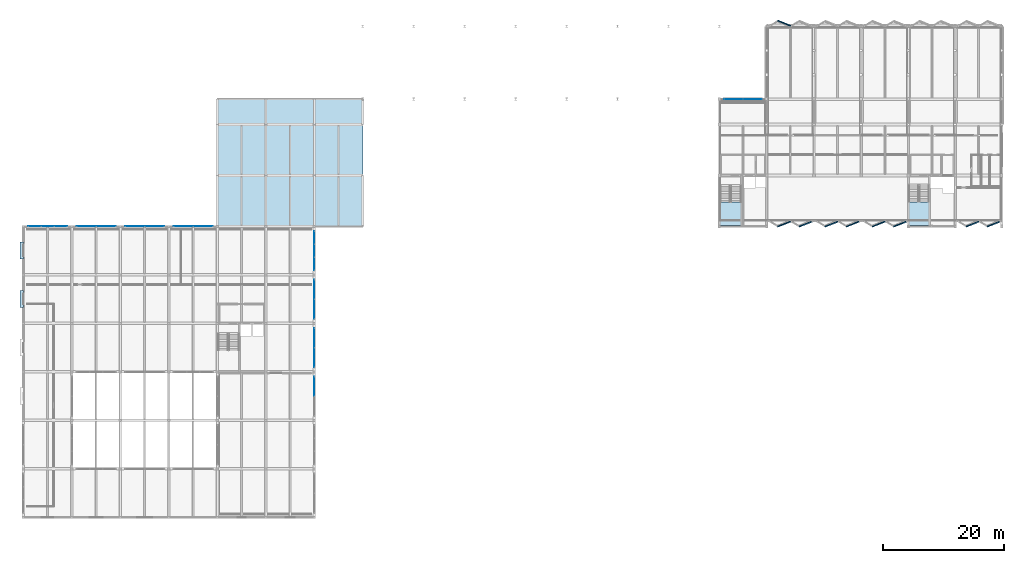
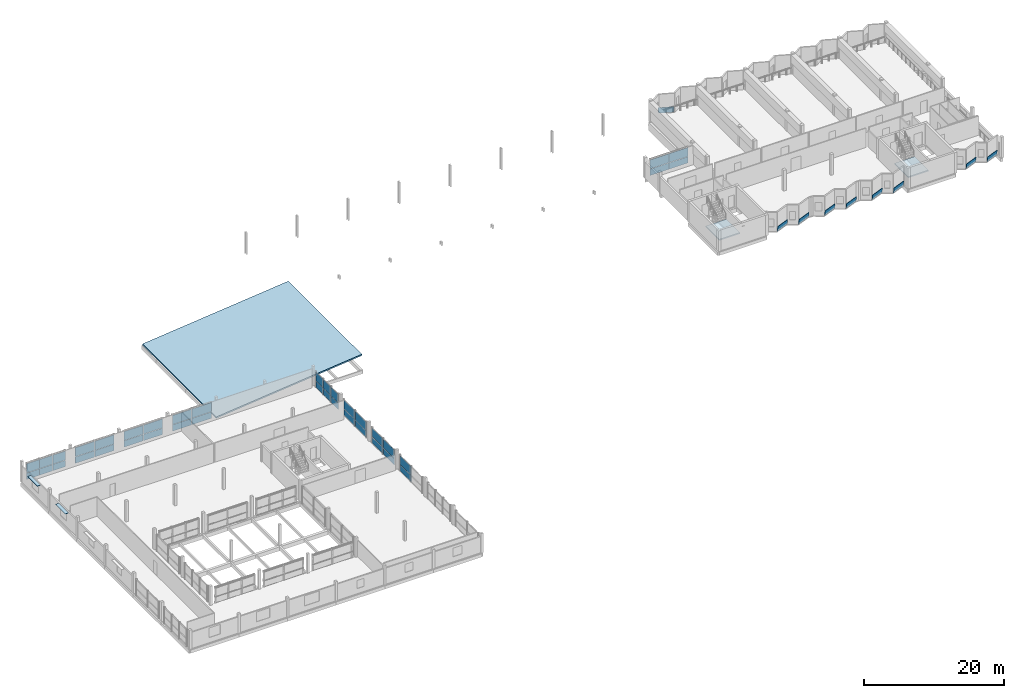
# One storey, part 21 of 34: 49 plates, 3 slabs, 11 elements without a shape of their own.
"""IFC4 building model written with IfcOpenShell, lengths in metres."""

from ifc_helpers import new_model, si_unit, direction, frame, origin, origin_2d, place, context, subcontext, project, spatial, polyline, rectangle, outline, extrude, material, layer, layer_set, type_object, element, aggregate, save


model = new_model("IFC4")

# Units and contexts
model_context = context("Model", 3, precision=1e-05, world=origin(), true_north=direction((0.0, 1.0)))
body_context = subcontext(model_context, "Body", "Model", "MODEL_VIEW")
ifc_project = project(units=[si_unit("LENGTHUNIT", "METRE"), si_unit("AREAUNIT", "SQUARE_METRE"), si_unit("VOLUMEUNIT", "CUBIC_METRE"), si_unit("PLANEANGLEUNIT", "RADIAN"), si_unit("MASSUNIT", "GRAM", prefix="KILO")], contexts=[model_context])

# Site, building, storey
site_placement = place(None, origin())
site = spatial("IfcSite", under=ifc_project, at=site_placement, CompositionType="ELEMENT")
building_placement = place(site_placement, origin())
building = spatial("IfcBuilding", under=site, at=building_placement, Name="Vharandega Faculty of Natural Sciences", CompositionType="ELEMENT")
storey_placement = place(building_placement, frame((0.0, 0.0, 21.60009765625)))
storey = spatial("IfcBuildingStorey", under=building, at=storey_placement, Name="L05", CompositionType="ELEMENT", Elevation=21.60009765625)

# Curtain wall, plates
ifc_material_1 = material(Name="Aluminium and solar-control glass curtain wall", Category="aluminium")
curtain_wall_type_1 = type_object("IfcCurtainWallType", Name="Unitised Curtain Wall System CW-27", PredefinedType="NOTDEFINED", material=ifc_material_1)
curtain_wall_1_placement = place(storey_placement, origin())
curtain_wall_1 = element("IfcCurtainWall", 1, at=curtain_wall_1_placement, inside=storey, type_object=curtain_wall_type_1, Name="Curtain Wall CW-L05-026", PredefinedType="NOTDEFINED")
ifc_material_2 = material(Name="Double-glazed low-E solar glass", Category="glass")
ifc_layer_1 = layer(ifc_material_2, 0.028076171875, Name="Double-glazed low-E solar glass")
ifc_layer_set_1 = layer_set([ifc_layer_1], Name="Double-glazed low-E solar glass")
plate_type_1 = type_object("IfcPlateType", Name="CW Solar Vision Panel 28mm", PredefinedType="CURTAIN_PANEL", material=ifc_layer_set_1)
plate_1_placement = place(storey_placement, frame((117.135009765625, 85.0, 0.06005859375), z_axis=(0.0, 0.0, 1.0), x_axis=(1.0, 0.0, 0.0)))
plate_1 = element("IfcPlate", 2, at=plate_1_placement, type_object=plate_type_1, Name="CW-27 panel 1.1", PredefinedType="CURTAIN_PANEL", context=body_context, shape_type="SweptSolid", body=[
    extrude(rectangle(XDim=3.070068359375, YDim=0.028076171875, at=origin_2d()), origin(), (0.0, 0.0, 1.0), 1.094482421875),
])
plate_2_placement = place(storey_placement, frame((117.135009765625, 85.0, 1.21435546875), z_axis=(0.0, 0.0, 1.0), x_axis=(1.0, 0.0, 0.0)))
plate_2 = element("IfcPlate", 3, at=plate_2_placement, type_object=plate_type_1, Name="CW-27 panel 1.2", PredefinedType="CURTAIN_PANEL", context=body_context, shape_type="SweptSolid", body=[
    extrude(rectangle(XDim=3.070068359375, YDim=0.028076171875, at=origin_2d()), origin(), (0.0, 0.0, 1.0), 1.545654296875),
])
plate_3_placement = place(storey_placement, frame((120.264892578125, 85.0, 0.06005859375), z_axis=(0.0, 0.0, 1.0), x_axis=(1.0, 0.0, 0.0)))
plate_3 = element("IfcPlate", 4, at=plate_3_placement, type_object=plate_type_1, Name="CW-27 panel 2.1", PredefinedType="CURTAIN_PANEL", context=body_context, shape_type="SweptSolid", body=[
    extrude(rectangle(XDim=3.070068359375, YDim=0.028076171875, at=origin_2d()), origin(), (0.0, 0.0, 1.0), 1.094482421875),
])
plate_4_placement = place(storey_placement, frame((120.264892578125, 85.0, 1.21435546875), z_axis=(0.0, 0.0, 1.0), x_axis=(1.0, 0.0, 0.0)))
plate_4 = element("IfcPlate", 5, at=plate_4_placement, type_object=plate_type_1, Name="CW-27 panel 2.2", PredefinedType="CURTAIN_PANEL", context=body_context, shape_type="SweptSolid", body=[
    extrude(rectangle(XDim=3.070068359375, YDim=0.028076171875, at=origin_2d()), origin(), (0.0, 0.0, 1.0), 1.545654296875),
])
aggregate(curtain_wall_1, [plate_1, plate_2, plate_3, plate_4])

ifc_material_3 = material(Name="Aluminium and solar-control glass curtain wall", Category="aluminium")
curtain_wall_type_2 = type_object("IfcCurtainWallType", Name="Unitised Curtain Wall System CW-02", PredefinedType="NOTDEFINED", material=ifc_material_3)
curtain_wall_2_placement = place(storey_placement, origin())
curtain_wall_2 = element("IfcCurtainWall", 6, at=curtain_wall_2_placement, inside=storey, type_object=curtain_wall_type_2, Name="Curtain Wall CW-L05-197", PredefinedType="NOTDEFINED")
plate_5_placement = place(storey_placement, frame((48.0, 37.614990234375, 0.06005859375), z_axis=(0.0, 0.0, 1.0), x_axis=(0.0, 1.0, 0.0)))
plate_5 = element("IfcPlate", 7, at=plate_5_placement, type_object=plate_type_1, Name="CW-02 panel 2.1", PredefinedType="CURTAIN_PANEL", context=body_context, shape_type="SweptSolid", body=[
    extrude(rectangle(XDim=3.169921875, YDim=0.028076171875, at=origin_2d()), origin(), (0.0, 0.0, 1.0), 1.069091796875),
])
plate_6_placement = place(storey_placement, frame((48.0, 37.614990234375, 1.189208984375), z_axis=(0.0, 0.0, 1.0), x_axis=(0.0, 1.0, 0.0)))
plate_6 = element("IfcPlate", 8, at=plate_6_placement, type_object=plate_type_1, Name="CW-02 panel 2.2", PredefinedType="CURTAIN_PANEL", context=body_context, shape_type="SweptSolid", body=[
    extrude(rectangle(XDim=3.169921875, YDim=0.028076171875, at=origin_2d()), origin(), (0.0, 0.0, 1.0), 1.5107421875),
])
aggregate(curtain_wall_2, [plate_5, plate_6])

ifc_material_4 = material(Name="Aluminium and solar-control glass curtain wall", Category="aluminium")
curtain_wall_type_3 = type_object("IfcCurtainWallType", Name="Unitised Curtain Wall System CW-03", PredefinedType="NOTDEFINED", material=ifc_material_4)
curtain_wall_3_placement = place(storey_placement, origin())
curtain_wall_3 = element("IfcCurtainWall", 9, at=curtain_wall_3_placement, inside=storey, type_object=curtain_wall_type_3, Name="Curtain Wall CW-L05-198", PredefinedType="NOTDEFINED")
plate_7_placement = place(storey_placement, frame((48.0, 42.385009765625, 0.06005859375), z_axis=(0.0, 0.0, 1.0), x_axis=(0.0, 1.0, 0.0)))
plate_7 = element("IfcPlate", 10, at=plate_7_placement, type_object=plate_type_1, Name="CW-03 panel 1.1", PredefinedType="CURTAIN_PANEL", context=body_context, shape_type="SweptSolid", body=[
    extrude(rectangle(XDim=3.169921875, YDim=0.028076171875, at=origin_2d()), origin(), (0.0, 0.0, 1.0), 1.069091796875),
])
plate_8_placement = place(storey_placement, frame((48.0, 42.385009765625, 1.189208984375), z_axis=(0.0, 0.0, 1.0), x_axis=(0.0, 1.0, 0.0)))
plate_8 = element("IfcPlate", 11, at=plate_8_placement, type_object=plate_type_1, Name="CW-03 panel 1.2", PredefinedType="CURTAIN_PANEL", context=body_context, shape_type="SweptSolid", body=[
    extrude(rectangle(XDim=3.169921875, YDim=0.028076171875, at=origin_2d()), origin(), (0.0, 0.0, 1.0), 1.5107421875),
])
plate_9_placement = place(storey_placement, frame((48.0, 45.614990234375, 0.06005859375), z_axis=(0.0, 0.0, 1.0), x_axis=(0.0, 1.0, 0.0)))
plate_9 = element("IfcPlate", 12, at=plate_9_placement, type_object=plate_type_1, Name="CW-03 panel 2.1", PredefinedType="CURTAIN_PANEL", context=body_context, shape_type="SweptSolid", body=[
    extrude(rectangle(XDim=3.169921875, YDim=0.028076171875, at=origin_2d()), origin(), (0.0, 0.0, 1.0), 1.069091796875),
])
plate_10_placement = place(storey_placement, frame((48.0, 45.614990234375, 1.189208984375), z_axis=(0.0, 0.0, 1.0), x_axis=(0.0, 1.0, 0.0)))
plate_10 = element("IfcPlate", 13, at=plate_10_placement, type_object=plate_type_1, Name="CW-03 panel 2.2", PredefinedType="CURTAIN_PANEL", context=body_context, shape_type="SweptSolid", body=[
    extrude(rectangle(XDim=3.169921875, YDim=0.028076171875, at=origin_2d()), origin(), (0.0, 0.0, 1.0), 1.5107421875),
])
aggregate(curtain_wall_3, [plate_7, plate_8, plate_9, plate_10])

ifc_material_5 = material(Name="Aluminium and solar-control glass curtain wall", Category="aluminium")
curtain_wall_type_4 = type_object("IfcCurtainWallType", Name="Unitised Curtain Wall System CW-04", PredefinedType="NOTDEFINED", material=ifc_material_5)
curtain_wall_4_placement = place(storey_placement, origin())
curtain_wall_4 = element("IfcCurtainWall", 14, at=curtain_wall_4_placement, inside=storey, type_object=curtain_wall_type_4, Name="Curtain Wall CW-L05-199", PredefinedType="NOTDEFINED")
plate_11_placement = place(storey_placement, frame((48.0, 50.385009765625, 0.06005859375), z_axis=(0.0, 0.0, 1.0), x_axis=(0.0, 1.0, 0.0)))
plate_11 = element("IfcPlate", 15, at=plate_11_placement, type_object=plate_type_1, Name="CW-04 panel 1.1", PredefinedType="CURTAIN_PANEL", context=body_context, shape_type="SweptSolid", body=[
    extrude(rectangle(XDim=3.169921875, YDim=0.028076171875, at=origin_2d()), origin(), (0.0, 0.0, 1.0), 1.069091796875),
])
plate_12_placement = place(storey_placement, frame((48.0, 50.385009765625, 1.189208984375), z_axis=(0.0, 0.0, 1.0), x_axis=(0.0, 1.0, 0.0)))
plate_12 = element("IfcPlate", 16, at=plate_12_placement, type_object=plate_type_1, Name="CW-04 panel 1.2", PredefinedType="CURTAIN_PANEL", context=body_context, shape_type="SweptSolid", body=[
    extrude(rectangle(XDim=3.169921875, YDim=0.028076171875, at=origin_2d()), origin(), (0.0, 0.0, 1.0), 1.5107421875),
])
plate_13_placement = place(storey_placement, frame((48.0, 53.614990234375, 0.06005859375), z_axis=(0.0, 0.0, 1.0), x_axis=(0.0, 1.0, 0.0)))
plate_13 = element("IfcPlate", 17, at=plate_13_placement, type_object=plate_type_1, Name="CW-04 panel 2.1", PredefinedType="CURTAIN_PANEL", context=body_context, shape_type="SweptSolid", body=[
    extrude(rectangle(XDim=3.169921875, YDim=0.028076171875, at=origin_2d()), origin(), (0.0, 0.0, 1.0), 1.069091796875),
])
plate_14_placement = place(storey_placement, frame((48.0, 53.614990234375, 1.189208984375), z_axis=(0.0, 0.0, 1.0), x_axis=(0.0, 1.0, 0.0)))
plate_14 = element("IfcPlate", 18, at=plate_14_placement, type_object=plate_type_1, Name="CW-04 panel 2.2", PredefinedType="CURTAIN_PANEL", context=body_context, shape_type="SweptSolid", body=[
    extrude(rectangle(XDim=3.169921875, YDim=0.028076171875, at=origin_2d()), origin(), (0.0, 0.0, 1.0), 1.5107421875),
])
aggregate(curtain_wall_4, [plate_11, plate_12, plate_13, plate_14])

ifc_material_6 = material(Name="Aluminium and solar-control glass curtain wall", Category="aluminium")
curtain_wall_type_5 = type_object("IfcCurtainWallType", Name="Unitised Curtain Wall System CW-05", PredefinedType="NOTDEFINED", material=ifc_material_6)
curtain_wall_5_placement = place(storey_placement, origin())
curtain_wall_5 = element("IfcCurtainWall", 19, at=curtain_wall_5_placement, inside=storey, type_object=curtain_wall_type_5, Name="Curtain Wall CW-L05-200", PredefinedType="NOTDEFINED")
plate_15_placement = place(storey_placement, frame((48.0, 57.841552734375, 0.06005859375), z_axis=(0.0, 0.0, 1.0), x_axis=(0.0, 1.0, 0.0)))
plate_15 = element("IfcPlate", 20, at=plate_15_placement, type_object=plate_type_1, Name="CW-05 panel 1.1", PredefinedType="CURTAIN_PANEL", context=body_context, shape_type="SweptSolid", body=[
    extrude(rectangle(XDim=2.083251953125, YDim=0.028076171875, at=origin_2d()), origin(), (0.0, 0.0, 1.0), 1.069091796875),
])
plate_16_placement = place(storey_placement, frame((48.0, 57.841552734375, 1.189208984375), z_axis=(0.0, 0.0, 1.0), x_axis=(0.0, 1.0, 0.0)))
plate_16 = element("IfcPlate", 21, at=plate_16_placement, type_object=plate_type_1, Name="CW-05 panel 1.2", PredefinedType="CURTAIN_PANEL", context=body_context, shape_type="SweptSolid", body=[
    extrude(rectangle(XDim=2.083251953125, YDim=0.028076171875, at=origin_2d()), origin(), (0.0, 0.0, 1.0), 1.5107421875),
])
plate_17_placement = place(storey_placement, frame((48.0, 60.0, 0.06005859375), z_axis=(0.0, 0.0, 1.0), x_axis=(0.0, 1.0, 0.0)))
plate_17 = element("IfcPlate", 22, at=plate_17_placement, type_object=plate_type_1, Name="CW-05 panel 2.1", PredefinedType="CURTAIN_PANEL", context=body_context, shape_type="SweptSolid", body=[
    extrude(rectangle(XDim=2.11328125, YDim=0.028076171875, at=origin_2d()), origin(), (0.0, 0.0, 1.0), 1.069091796875),
])
plate_18_placement = place(storey_placement, frame((48.0, 60.0, 1.189208984375), z_axis=(0.0, 0.0, 1.0), x_axis=(0.0, 1.0, 0.0)))
plate_18 = element("IfcPlate", 23, at=plate_18_placement, type_object=plate_type_1, Name="CW-05 panel 2.2", PredefinedType="CURTAIN_PANEL", context=body_context, shape_type="SweptSolid", body=[
    extrude(rectangle(XDim=2.11328125, YDim=0.028076171875, at=origin_2d()), origin(), (0.0, 0.0, 1.0), 1.5107421875),
])
plate_19_placement = place(storey_placement, frame((48.0, 62.158447265625, 0.06005859375), z_axis=(0.0, 0.0, 1.0), x_axis=(0.0, 1.0, 0.0)))
plate_19 = element("IfcPlate", 24, at=plate_19_placement, type_object=plate_type_1, Name="CW-05 panel 3.1", PredefinedType="CURTAIN_PANEL", context=body_context, shape_type="SweptSolid", body=[
    extrude(rectangle(XDim=2.083251953125, YDim=0.028076171875, at=origin_2d()), origin(), (0.0, 0.0, 1.0), 1.069091796875),
])
plate_20_placement = place(storey_placement, frame((48.0, 62.158447265625, 1.189208984375), z_axis=(0.0, 0.0, 1.0), x_axis=(0.0, 1.0, 0.0)))
plate_20 = element("IfcPlate", 25, at=plate_20_placement, type_object=plate_type_1, Name="CW-05 panel 3.2", PredefinedType="CURTAIN_PANEL", context=body_context, shape_type="SweptSolid", body=[
    extrude(rectangle(XDim=2.083251953125, YDim=0.028076171875, at=origin_2d()), origin(), (0.0, 0.0, 1.0), 1.5107421875),
])
aggregate(curtain_wall_5, [plate_15, plate_16, plate_17, plate_18, plate_19, plate_20])

ifc_material_7 = material(Name="Aluminium and solar-control glass curtain wall", Category="aluminium")
curtain_wall_type_6 = type_object("IfcCurtainWallType", Name="Unitised Curtain Wall System CW-06", PredefinedType="NOTDEFINED", material=ifc_material_7)
curtain_wall_6_placement = place(storey_placement, origin())
curtain_wall_6 = element("IfcCurtainWall", 26, at=curtain_wall_6_placement, inside=storey, type_object=curtain_wall_type_6, Name="Curtain Wall CW-L05-201", PredefinedType="NOTDEFINED")
plate_21_placement = place(storey_placement, frame((1.841552734375, 64.0, 0.06005859375), z_axis=(0.0, 0.0, 1.0), x_axis=(1.0, 0.0, 0.0)))
plate_21 = element("IfcPlate", 27, at=plate_21_placement, type_object=plate_type_1, Name="CW-06 panel 1.1", PredefinedType="CURTAIN_PANEL", context=body_context, shape_type="SweptSolid", body=[
    extrude(rectangle(XDim=2.083251953125, YDim=0.028076171875, at=origin_2d()), origin(), (0.0, 0.0, 1.0), 1.102783203125),
])
plate_22_placement = place(storey_placement, frame((1.841552734375, 64.0, 1.22265625), z_axis=(0.0, 0.0, 1.0), x_axis=(1.0, 0.0, 0.0)))
plate_22 = element("IfcPlate", 28, at=plate_22_placement, type_object=plate_type_1, Name="CW-06 panel 1.2", PredefinedType="CURTAIN_PANEL", context=body_context, shape_type="SweptSolid", body=[
    extrude(rectangle(XDim=2.083251953125, YDim=0.028076171875, at=origin_2d()), origin(), (0.0, 0.0, 1.0), 1.55712890625),
])
plate_23_placement = place(storey_placement, frame((4.0, 64.0, 0.06005859375), z_axis=(0.0, 0.0, 1.0), x_axis=(1.0, 0.0, 0.0)))
plate_23 = element("IfcPlate", 29, at=plate_23_placement, type_object=plate_type_1, Name="CW-06 panel 2.1", PredefinedType="CURTAIN_PANEL", context=body_context, shape_type="SweptSolid", body=[
    extrude(rectangle(XDim=2.11328125, YDim=0.028076171875, at=origin_2d()), origin(), (0.0, 0.0, 1.0), 1.102783203125),
])
plate_24_placement = place(storey_placement, frame((4.0, 64.0, 1.22265625), z_axis=(0.0, 0.0, 1.0), x_axis=(1.0, 0.0, 0.0)))
plate_24 = element("IfcPlate", 30, at=plate_24_placement, type_object=plate_type_1, Name="CW-06 panel 2.2", PredefinedType="CURTAIN_PANEL", context=body_context, shape_type="SweptSolid", body=[
    extrude(rectangle(XDim=2.11328125, YDim=0.028076171875, at=origin_2d()), origin(), (0.0, 0.0, 1.0), 1.55712890625),
])
plate_25_placement = place(storey_placement, frame((6.158447265625, 64.0, 0.06005859375), z_axis=(0.0, 0.0, 1.0), x_axis=(1.0, 0.0, 0.0)))
plate_25 = element("IfcPlate", 31, at=plate_25_placement, type_object=plate_type_1, Name="CW-06 panel 3.1", PredefinedType="CURTAIN_PANEL", context=body_context, shape_type="SweptSolid", body=[
    extrude(rectangle(XDim=2.083251953125, YDim=0.028076171875, at=origin_2d()), origin(), (0.0, 0.0, 1.0), 1.102783203125),
])
plate_26_placement = place(storey_placement, frame((6.158447265625, 64.0, 1.22265625), z_axis=(0.0, 0.0, 1.0), x_axis=(1.0, 0.0, 0.0)))
plate_26 = element("IfcPlate", 32, at=plate_26_placement, type_object=plate_type_1, Name="CW-06 panel 3.2", PredefinedType="CURTAIN_PANEL", context=body_context, shape_type="SweptSolid", body=[
    extrude(rectangle(XDim=2.083251953125, YDim=0.028076171875, at=origin_2d()), origin(), (0.0, 0.0, 1.0), 1.55712890625),
])
aggregate(curtain_wall_6, [plate_21, plate_22, plate_23, plate_24, plate_25, plate_26])

ifc_material_8 = material(Name="Aluminium and solar-control glass curtain wall", Category="aluminium")
curtain_wall_type_7 = type_object("IfcCurtainWallType", Name="Unitised Curtain Wall System CW-07", PredefinedType="NOTDEFINED", material=ifc_material_8)
curtain_wall_7_placement = place(storey_placement, origin())
curtain_wall_7 = element("IfcCurtainWall", 33, at=curtain_wall_7_placement, inside=storey, type_object=curtain_wall_type_7, Name="Curtain Wall CW-L05-202", PredefinedType="NOTDEFINED")
plate_27_placement = place(storey_placement, frame((10.385009765625, 64.0, 0.06005859375), z_axis=(0.0, 0.0, 1.0), x_axis=(1.0, 0.0, 0.0)))
plate_27 = element("IfcPlate", 34, at=plate_27_placement, type_object=plate_type_1, Name="CW-07 panel 1.1", PredefinedType="CURTAIN_PANEL", context=body_context, shape_type="SweptSolid", body=[
    extrude(rectangle(XDim=3.169921875, YDim=0.028076171875, at=origin_2d()), origin(), (0.0, 0.0, 1.0), 1.102783203125),
])
plate_28_placement = place(storey_placement, frame((10.385009765625, 64.0, 1.22265625), z_axis=(0.0, 0.0, 1.0), x_axis=(1.0, 0.0, 0.0)))
plate_28 = element("IfcPlate", 35, at=plate_28_placement, type_object=plate_type_1, Name="CW-07 panel 1.2", PredefinedType="CURTAIN_PANEL", context=body_context, shape_type="SweptSolid", body=[
    extrude(rectangle(XDim=3.169921875, YDim=0.028076171875, at=origin_2d()), origin(), (0.0, 0.0, 1.0), 1.55712890625),
])
plate_29_placement = place(storey_placement, frame((13.614990234375, 64.0, 0.06005859375), z_axis=(0.0, 0.0, 1.0), x_axis=(1.0, 0.0, 0.0)))
plate_29 = element("IfcPlate", 36, at=plate_29_placement, type_object=plate_type_1, Name="CW-07 panel 2.1", PredefinedType="CURTAIN_PANEL", context=body_context, shape_type="SweptSolid", body=[
    extrude(rectangle(XDim=3.169921875, YDim=0.028076171875, at=origin_2d()), origin(), (0.0, 0.0, 1.0), 1.102783203125),
])
plate_30_placement = place(storey_placement, frame((13.614990234375, 64.0, 1.22265625), z_axis=(0.0, 0.0, 1.0), x_axis=(1.0, 0.0, 0.0)))
plate_30 = element("IfcPlate", 37, at=plate_30_placement, type_object=plate_type_1, Name="CW-07 panel 2.2", PredefinedType="CURTAIN_PANEL", context=body_context, shape_type="SweptSolid", body=[
    extrude(rectangle(XDim=3.169921875, YDim=0.028076171875, at=origin_2d()), origin(), (0.0, 0.0, 1.0), 1.55712890625),
])
aggregate(curtain_wall_7, [plate_27, plate_28, plate_29, plate_30])

ifc_material_9 = material(Name="Aluminium and solar-control glass curtain wall", Category="aluminium")
curtain_wall_type_8 = type_object("IfcCurtainWallType", Name="Unitised Curtain Wall System CW-08", PredefinedType="NOTDEFINED", material=ifc_material_9)
curtain_wall_8_placement = place(storey_placement, origin())
curtain_wall_8 = element("IfcCurtainWall", 38, at=curtain_wall_8_placement, inside=storey, type_object=curtain_wall_type_8, Name="Curtain Wall CW-L05-203", PredefinedType="NOTDEFINED")
plate_31_placement = place(storey_placement, frame((18.385009765625, 64.0, 0.06005859375), z_axis=(0.0, 0.0, 1.0), x_axis=(1.0, 0.0, 0.0)))
plate_31 = element("IfcPlate", 39, at=plate_31_placement, type_object=plate_type_1, Name="CW-08 panel 1.1", PredefinedType="CURTAIN_PANEL", context=body_context, shape_type="SweptSolid", body=[
    extrude(rectangle(XDim=3.169921875, YDim=0.028076171875, at=origin_2d()), origin(), (0.0, 0.0, 1.0), 1.102783203125),
])
plate_32_placement = place(storey_placement, frame((18.385009765625, 64.0, 1.22265625), z_axis=(0.0, 0.0, 1.0), x_axis=(1.0, 0.0, 0.0)))
plate_32 = element("IfcPlate", 40, at=plate_32_placement, type_object=plate_type_1, Name="CW-08 panel 1.2", PredefinedType="CURTAIN_PANEL", context=body_context, shape_type="SweptSolid", body=[
    extrude(rectangle(XDim=3.169921875, YDim=0.028076171875, at=origin_2d()), origin(), (0.0, 0.0, 1.0), 1.55712890625),
])
plate_33_placement = place(storey_placement, frame((21.614990234375, 64.0, 0.06005859375), z_axis=(0.0, 0.0, 1.0), x_axis=(1.0, 0.0, 0.0)))
plate_33 = element("IfcPlate", 41, at=plate_33_placement, type_object=plate_type_1, Name="CW-08 panel 2.1", PredefinedType="CURTAIN_PANEL", context=body_context, shape_type="SweptSolid", body=[
    extrude(rectangle(XDim=3.169921875, YDim=0.028076171875, at=origin_2d()), origin(), (0.0, 0.0, 1.0), 1.102783203125),
])
plate_34_placement = place(storey_placement, frame((21.614990234375, 64.0, 1.22265625), z_axis=(0.0, 0.0, 1.0), x_axis=(1.0, 0.0, 0.0)))
plate_34 = element("IfcPlate", 42, at=plate_34_placement, type_object=plate_type_1, Name="CW-08 panel 2.2", PredefinedType="CURTAIN_PANEL", context=body_context, shape_type="SweptSolid", body=[
    extrude(rectangle(XDim=3.169921875, YDim=0.028076171875, at=origin_2d()), origin(), (0.0, 0.0, 1.0), 1.55712890625),
])
aggregate(curtain_wall_8, [plate_31, plate_32, plate_33, plate_34])

ifc_material_10 = material(Name="Aluminium and solar-control glass curtain wall", Category="aluminium")
curtain_wall_type_9 = type_object("IfcCurtainWallType", Name="Unitised Curtain Wall System CW-09", PredefinedType="NOTDEFINED", material=ifc_material_10)
curtain_wall_9_placement = place(storey_placement, origin())
curtain_wall_9 = element("IfcCurtainWall", 43, at=curtain_wall_9_placement, inside=storey, type_object=curtain_wall_type_9, Name="Curtain Wall CW-L05-204", PredefinedType="NOTDEFINED")
plate_35_placement = place(storey_placement, frame((26.385009765625, 64.0, 0.06005859375), z_axis=(0.0, 0.0, 1.0), x_axis=(1.0, 0.0, 0.0)))
plate_35 = element("IfcPlate", 44, at=plate_35_placement, type_object=plate_type_1, Name="CW-09 panel 1.1", PredefinedType="CURTAIN_PANEL", context=body_context, shape_type="SweptSolid", body=[
    extrude(rectangle(XDim=3.169921875, YDim=0.028076171875, at=origin_2d()), origin(), (0.0, 0.0, 1.0), 1.102783203125),
])
plate_36_placement = place(storey_placement, frame((26.385009765625, 64.0, 1.22265625), z_axis=(0.0, 0.0, 1.0), x_axis=(1.0, 0.0, 0.0)))
plate_36 = element("IfcPlate", 45, at=plate_36_placement, type_object=plate_type_1, Name="CW-09 panel 1.2", PredefinedType="CURTAIN_PANEL", context=body_context, shape_type="SweptSolid", body=[
    extrude(rectangle(XDim=3.169921875, YDim=0.028076171875, at=origin_2d()), origin(), (0.0, 0.0, 1.0), 1.55712890625),
])
plate_37_placement = place(storey_placement, frame((29.614990234375, 64.0, 0.06005859375), z_axis=(0.0, 0.0, 1.0), x_axis=(1.0, 0.0, 0.0)))
plate_37 = element("IfcPlate", 46, at=plate_37_placement, type_object=plate_type_1, Name="CW-09 panel 2.1", PredefinedType="CURTAIN_PANEL", context=body_context, shape_type="SweptSolid", body=[
    extrude(rectangle(XDim=3.169921875, YDim=0.028076171875, at=origin_2d()), origin(), (0.0, 0.0, 1.0), 1.102783203125),
])
plate_38_placement = place(storey_placement, frame((29.614990234375, 64.0, 1.22265625), z_axis=(0.0, 0.0, 1.0), x_axis=(1.0, 0.0, 0.0)))
plate_38 = element("IfcPlate", 47, at=plate_38_placement, type_object=plate_type_1, Name="CW-09 panel 2.2", PredefinedType="CURTAIN_PANEL", context=body_context, shape_type="SweptSolid", body=[
    extrude(rectangle(XDim=3.169921875, YDim=0.028076171875, at=origin_2d()), origin(), (0.0, 0.0, 1.0), 1.55712890625),
])
aggregate(curtain_wall_9, [plate_35, plate_36, plate_37, plate_38])

# Plates
ifc_material_11 = material(Name="Aluminium solar hood sheet", Category="aluminium")
ifc_layer_2 = layer(ifc_material_11, 0.0400390625, Name="Aluminium solar hood sheet")
ifc_layer_set_2 = layer_set([ifc_layer_2], Name="Aluminium solar hood sheet")
plate_type_2 = type_object("IfcPlateType", Name="North Solar Hood Sheet Plate 40", PredefinedType="SHEET", material=ifc_layer_set_2)
for number, where, z_axis, x_axis, name in (
    (48, (-0.280029296875, 52.0, 2.599853515625), (0.0, 0.0, 1.0), (1.0, 0.0, 0.0), "Solar Shading Hood L05 G"),
    (49, (-0.280029296875, 60.0, 2.599853515625), (0.0, 0.0, 1.0), (1.0, 0.0, 0.0), "Solar Shading Hood L05 H"),
):
    element("IfcPlate", number, at=place(storey_placement, frame(where, z_axis=z_axis, x_axis=x_axis)), inside=storey, type_object=plate_type_2, Name=name, PredefinedType="SHEET", context=body_context, shape_type="SweptSolid", body=[
        extrude(rectangle(XDim=0.56005859375, YDim=2.800048828125, at=origin_2d()), origin(), (0.0, 0.0, 1.0), 0.0400390625),
    ])

# Slab
ifc_material_12 = material(Name="Cross-laminated timber CLT7-240", Category="wood")
ifc_layer_3 = layer(ifc_material_12, 0.239990234375, Name="Cross-laminated timber CLT7-240")
ifc_layer_set_3 = layer_set([ifc_layer_3], Name="Cross-laminated timber CLT7-240")
slab_type_1 = type_object("IfcSlabType", Name="ROOF-PITCHED-240", PredefinedType="ROOF", material=ifc_layer_set_3)
slab_1_placement = place(storey_placement, frame((32.0, 64.0, 0.0), z_axis=(-0.104516788505, 0.0, 0.994523122366), x_axis=(0.994523122366, 0.0, 0.104516788505)))
element("IfcSlab", 50, at=slab_1_placement, inside=storey, type_object=slab_type_1, Name="L05 V3 Pitched Roof Slab", PredefinedType="ROOF", context=body_context, shape_type="SweptSolid", body=[
    extrude(outline(polyline([(0.0, 0.0), (24.13216893630654, 0.0), (24.13216893630654, 21.0), (0.0, 21.0), (0.0, 0.0)])), origin(), (0.0, 0.0, -1.0), 0.239990234375),
])

# Plates
ifc_material_13 = material(Name="White precast concrete C40/50", Category="concrete")
ifc_layer_4 = layer(ifc_material_13, 0.080078125, Name="White precast concrete C40/50")
ifc_layer_set_4 = layer_set([ifc_layer_4], Name="White precast concrete C40/50")
plate_type_3 = type_object("IfcPlateType", Name="Sawtooth Tilted White Precast Prism 80", PredefinedType="USERDEFINED", material=ifc_layer_set_4)
plate_39_placement = place(storey_placement, frame((124.387939453125, 97.8798828125, 0.0), z_axis=(-0.38213008843, -0.917133415176, 0.113326494182), x_axis=(0.043508814605, 0.104641694763, 0.993557798404)))
element("IfcPlate", 51, at=plate_39_placement, inside=storey, type_object=plate_type_3, Name="Sawtooth Tilted Precast Prism L05 N01", ObjectType="FACADE PRISM", PredefinedType="USERDEFINED", context=body_context, shape_type="SweptSolid", body=[
    extrude(outline(polyline([(0.0, 0.0), (0.8856007183018657, -3.821812658011403e-18), (0.8853959930890345, -2.288104707577155), (-0.00017917792407083633, -2.2880108113294035), (0.0, 0.0)])), origin(), (0.0, 0.0, -1.0), 0.080078125),
])
for number, where, z_axis, x_axis, name in (
    (52, (126.5, 64.8798828125, 0.0), (-0.367171311911, 0.923237616435, 0.113214536648), (0.041951531837, -0.10515519478, 0.993570558132), "Sawtooth Tilted Precast Prism L05 S01"),
    (53, (130.02001953125, 64.8798828125, 0.0), (-0.367171311911, 0.923237616435, 0.113214536648), (0.041951531837, -0.10515519478, 0.993570558132), "Sawtooth Tilted Precast Prism L05 S02"),
    (54, (134.300048828125, 64.8798828125, 0.0), (-0.367171311911, 0.923237616435, 0.113214536648), (0.041951531837, -0.10515519478, 0.993570558132), "Sawtooth Tilted Precast Prism L05 S03"),
    (55, (137.820068359375, 64.8798828125, 0.0), (-0.367171311911, 0.923237616435, 0.113214536648), (0.041951531837, -0.10515519478, 0.993570558132), "Sawtooth Tilted Precast Prism L05 S04"),
    (56, (142.10009765625, 64.8798828125, 0.0), (-0.367171311911, 0.923237616435, 0.113214536648), (0.041951531837, -0.10515519478, 0.993570558132), "Sawtooth Tilted Precast Prism L05 S05"),
):
    element("IfcPlate", number, at=place(storey_placement, frame(where, z_axis=z_axis, x_axis=x_axis)), inside=storey, type_object=plate_type_3, Name=name, ObjectType="FACADE PRISM", PredefinedType="USERDEFINED", context=body_context, shape_type="SweptSolid", body=[
        extrude(outline(polyline([(0.0, 0.0), (0.8855637337790956, 5.339695699491109e-18), (0.8852991642756181, -2.2730040331997645), (-0.0002902421584531911, -2.2729138085590064), (0.0, 0.0)])), origin(), (0.0, 0.0, -1.0), 0.080078125),
    ])
plate_40_placement = place(storey_placement, frame((145.6201171875, 64.8798828125, 0.0), z_axis=(-0.367191753184, 0.923235652062, 0.113164248576), x_axis=(0.041694910845, -0.105203136477, 0.993576285187)))
element("IfcPlate", 57, at=plate_40_placement, inside=storey, type_object=plate_type_3, Name="Sawtooth Tilted Precast Prism L05 S06", ObjectType="FACADE PRISM", PredefinedType="USERDEFINED", context=body_context, shape_type="SweptSolid", body=[
    extrude(outline(polyline([(0.0, 0.0), (0.8855535298700004, 3.130633773051894e-18), (0.8858814141010081, -2.272777170195068), (0.00029202044992326925, -2.272913805666767), (0.0, 0.0)])), origin(), (0.0, 0.0, -1.0), 0.080078125),
])
plate_41_placement = place(storey_placement, frame((157.550048828125, 64.8798828125, 0.0), z_axis=(-0.371753343199, 0.921414513626, 0.113113862546), x_axis=(0.042247493707, -0.10492807804, 0.993582028679)))
element("IfcPlate", 58, at=plate_41_placement, inside=storey, type_object=plate_type_3, Name="Sawtooth Tilted Precast Prism L05 S07", ObjectType="FACADE PRISM", PredefinedType="USERDEFINED", context=body_context, shape_type="SweptSolid", body=[
    extrude(outline(polyline([(0.0, 0.0), (0.8855483807500657, 1.1926223897340549e-18), (0.8857469006956997, -2.2449020398239097), (0.00016258840956297205, -2.245037104155892), (0.0, 0.0)])), origin(), (0.0, 0.0, -1.0), 0.080078125),
])
plate_42_placement = place(storey_placement, frame((161.02001953125, 64.8798828125, 0.0), z_axis=(-0.371732429173, 0.921416699894, 0.113164774806), x_axis=(0.042503638669, -0.104879636127, 0.993576218831)))
element("IfcPlate", 59, at=plate_42_placement, inside=storey, type_object=plate_type_3, Name="Sawtooth Tilted Precast Prism L05 S08", ObjectType="FACADE PRISM", PredefinedType="USERDEFINED", context=body_context, shape_type="SweptSolid", body=[
    extrude(outline(polyline([(0.0, 0.0), (0.8855587194211085, 1.6805133673525319e-18), (0.8851729277563166, -2.2451284213747997), (-0.0004113970447056914, -2.2450370750818083), (0.0, 0.0)])), origin(), (0.0, 0.0, -1.0), 0.080078125),
])

# Stair, slab
ifc_material_14 = material(Name="Concrete C40/50", Category="concrete")
stair_type_1 = type_object("IfcStairType", Name="Escape Dog-Leg Stair W165 H360", PredefinedType="HALF_TURN_STAIR", material=ifc_material_14)
stair_1_placement = place(storey_placement, origin())
stair_1 = element("IfcStair", 60, at=stair_1_placement, inside=storey, type_object=stair_type_1, Name="L05 Escape Stair ST1", PredefinedType="HALF_TURN_STAIR")
ifc_material_15 = material(Name="Concrete C40/50", Category="concrete")
ifc_layer_5 = layer(ifc_material_15, 0.199951171875, Name="Concrete C40/50")
ifc_layer_set_5 = layer_set([ifc_layer_5], Name="Concrete C40/50")
slab_type_2 = type_object("IfcSlabType", Name="Stair Half-Landing Slab 200", PredefinedType="LANDING", material=ifc_layer_set_5)
slab_2_placement = place(storey_placement, frame((0.0, 0.0, 1.599853515625)))
slab_2 = element("IfcSlab", 61, at=slab_2_placement, type_object=slab_type_2, Name="ST1 landing 1", PredefinedType="LANDING", context=body_context, shape_type="SweptSolid", body=[
    extrude(outline(polyline([(114.93994140625, 68.0), (114.93994140625, 64.139892578125), (118.360107421875, 64.139892578125), (118.360107421875, 68.0), (114.93994140625, 68.0)])), origin(), (0.0, 0.0, 1.0), 0.199951171875),
])
aggregate(stair_1, [slab_2])

ifc_material_16 = material(Name="Concrete C40/50", Category="concrete")
stair_type_2 = type_object("IfcStairType", Name="Escape Dog-Leg Stair W160 H360", PredefinedType="HALF_TURN_STAIR", material=ifc_material_16)
stair_2_placement = place(storey_placement, origin())
stair_2 = element("IfcStair", 62, at=stair_2_placement, inside=storey, type_object=stair_type_2, Name="L05 Escape Stair ST2", PredefinedType="HALF_TURN_STAIR")
slab_3_placement = place(storey_placement, frame((0.0, 0.0, 1.599853515625)))
slab_3 = element("IfcSlab", 63, at=slab_3_placement, type_object=slab_type_2, Name="ST2 landing 1", PredefinedType="LANDING", context=body_context, shape_type="SweptSolid", body=[
    extrude(outline(polyline([(146.06005859375, 68.050048828125), (146.06005859375, 64.139892578125), (149.3798828125, 64.139892578125), (149.3798828125, 68.050048828125), (146.06005859375, 68.050048828125)])), origin(), (0.0, 0.0, 1.0), 0.199951171875),
])
aggregate(stair_2, [slab_3])

save(model, "model.ifc")
